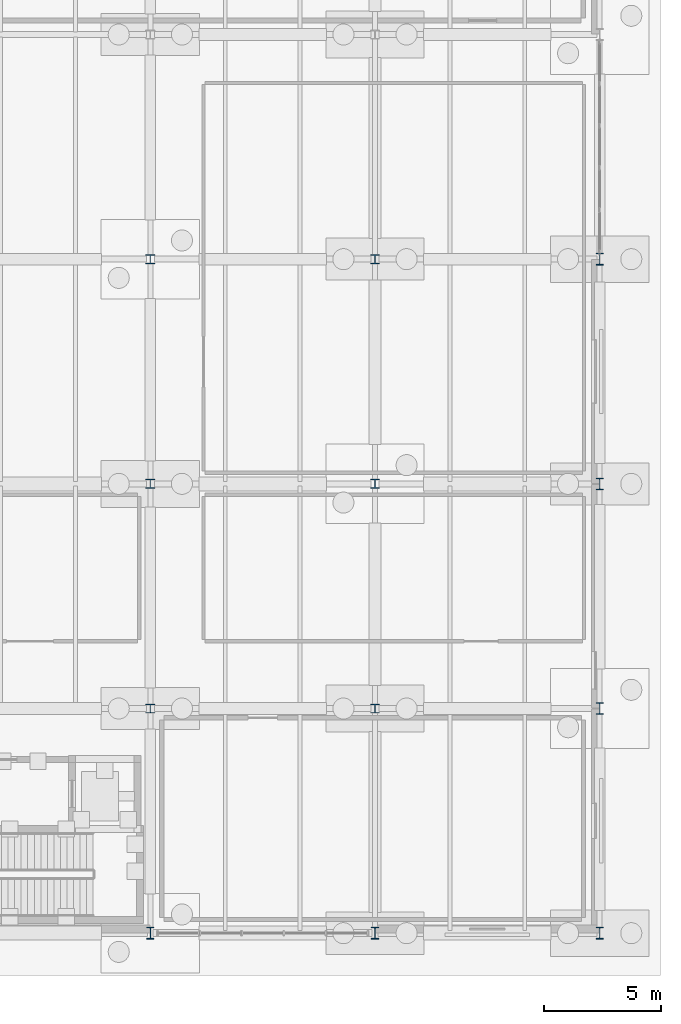
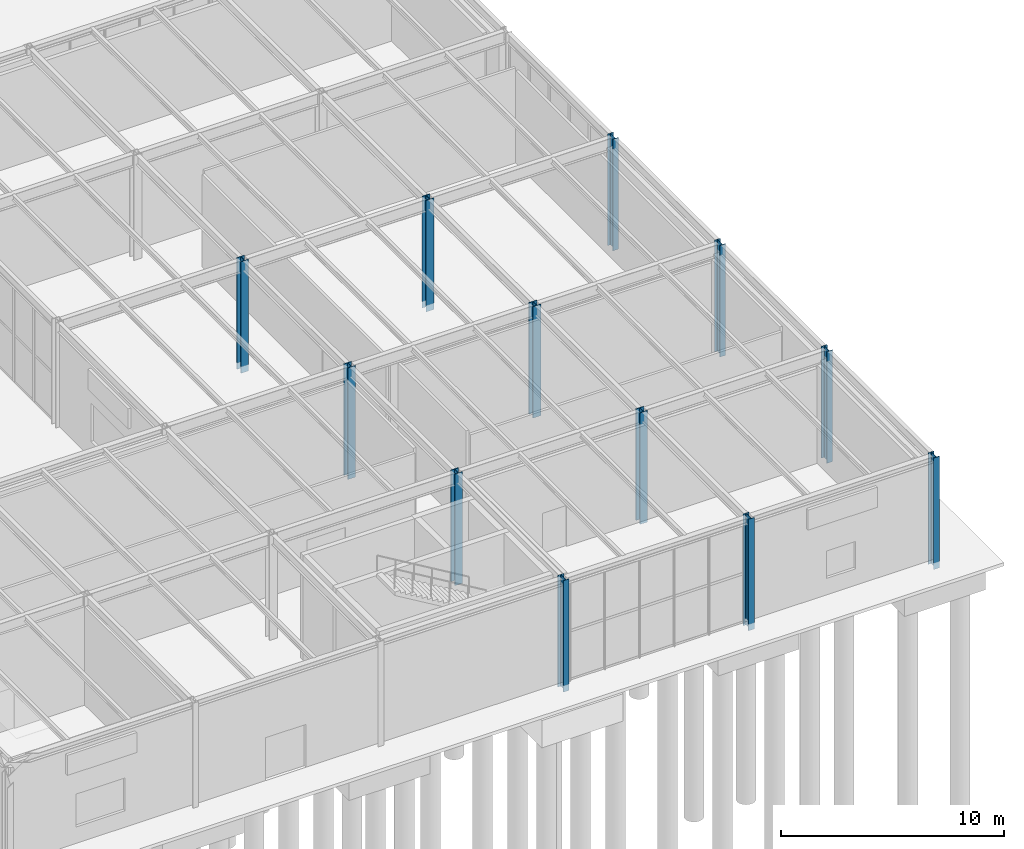
# One storey, part 23 of 142: 12 columns.
"""IFC4 building model written with IfcOpenShell, lengths in metres."""

from ifc_helpers import new_model, si_unit, direction, frame, origin, origin_2d, place, context, subcontext, project, spatial, i_section, extrude, material, material_profile, profile_set, type_object, element, save


model = new_model("IFC4")

# Units and contexts
model_context = context("Model", 3, precision=1e-05, world=origin(), true_north=direction((0.0, 1.0)))
body_context = subcontext(model_context, "Body", "Model", "MODEL_VIEW")
ifc_project = project(units=[si_unit("LENGTHUNIT", "METRE"), si_unit("AREAUNIT", "SQUARE_METRE"), si_unit("VOLUMEUNIT", "CUBIC_METRE"), si_unit("PLANEANGLEUNIT", "RADIAN"), si_unit("MASSUNIT", "GRAM", prefix="KILO")], contexts=[model_context])

# Site, building, storey
site_placement = place(None, origin())
site = spatial("IfcSite", under=ifc_project, at=site_placement, CompositionType="ELEMENT")
building_placement = place(site_placement, origin())
building = spatial("IfcBuilding", under=site, at=building_placement, Name="Coralgate Yard Interchange", CompositionType="ELEMENT")
storey_placement = place(building_placement, origin())
storey = spatial("IfcBuildingStorey", under=building, at=storey_placement, Name="L00", CompositionType="ELEMENT", Elevation=0.0)

# Columns
ifc_material = material(Name="Structural steel S355J2", Category="steel")
ifc_material_profile_1 = material_profile(ifc_material, i_section(OverallWidth=0.39892578125, OverallDepth=0.3935546875, WebThickness=0.022705078125, FlangeThickness=0.03662109375, FilletRadius=0.01513671875, at=origin_2d()), Name="UC 356x406x287")
ifc_profile_set_1 = profile_set([ifc_material_profile_1], Name="Structural steel S355J2")
column_type_1 = type_object("IfcColumnType", Name="COL-SC-1", PredefinedType="COLUMN", material=ifc_profile_set_1)
for number, where, z_axis, x_axis, name in (
    (1, (163.199951171875, 9.60009765625, -0.360107421875), (0.0, 0.0, 1.0), (1.0, 0.0, 0.0), "L00 structural column 17-1"),
    (2, (163.199951171875, 19.199951171875, -0.360107421875), (0.0, 0.0, 1.0), (1.0, 0.0, 0.0), "L00 structural column 17-2"),
    (3, (163.199951171875, 28.800048828125, -0.360107421875), (0.0, 0.0, 1.0), (1.0, 0.0, 0.0), "L00 structural column 17-3"),
    (4, (172.800048828125, 9.60009765625, -0.360107421875), (0.0, 0.0, 1.0), (1.0, 0.0, 0.0), "L00 structural column 18-1"),
    (5, (172.800048828125, 19.199951171875, -0.360107421875), (0.0, 0.0, 1.0), (1.0, 0.0, 0.0), "L00 structural column 18-2"),
    (6, (172.800048828125, 28.800048828125, -0.360107421875), (0.0, 0.0, 1.0), (1.0, 0.0, 0.0), "L00 structural column 18-3"),
):
    element("IfcColumn", number, at=place(storey_placement, frame(where, z_axis=z_axis, x_axis=x_axis)), inside=storey, type_object=column_type_1, Name=name, PredefinedType="COLUMN", context=body_context, shape_type="SweptSolid", body=[
        extrude(i_section(OverallWidth=0.39892578125, OverallDepth=0.3935546875, WebThickness=0.022705078125, FlangeThickness=0.03662109375, FilletRadius=0.01513671875, at=origin_2d()), origin(), (0.0, 0.0, 1.0), 6.110107421875),
    ])
ifc_material_profile_2 = material_profile(ifc_material, i_section(OverallWidth=0.300048828125, OverallDepth=0.5, WebThickness=0.014404296875, FlangeThickness=0.028076171875, FilletRadius=0.027099609375, at=origin_2d()), Name="HEB 500")
ifc_profile_set_2 = profile_set([ifc_material_profile_2], Name="Structural steel S355J2")
column_type_2 = type_object("IfcColumnType", Name="COL-SC-10", PredefinedType="COLUMN", material=ifc_profile_set_2)
for number, where, z_axis, x_axis, name in (
    (7, (163.199951171875, 0.0, -0.360107421875), (0.0, 0.0, 1.0), (1.0, 0.0, 0.0), "L00 structural column 17-0"),
    (8, (172.800048828125, 0.0, -0.360107421875), (0.0, 0.0, 1.0), (1.0, 0.0, 0.0), "L00 structural column 18-0"),
    (9, (182.39990234375, 0.0, -0.360107421875), (0.0, 0.0, 1.0), (1.0, 0.0, 0.0), "L00 structural column 19-0"),
    (10, (182.39990234375, 9.60009765625, -0.360107421875), (0.0, 0.0, 1.0), (1.0, 0.0, 0.0), "L00 structural column 19-1"),
    (11, (182.39990234375, 19.199951171875, -0.360107421875), (0.0, 0.0, 1.0), (1.0, 0.0, 0.0), "L00 structural column 19-2"),
    (12, (182.39990234375, 28.800048828125, -0.360107421875), (0.0, 0.0, 1.0), (1.0, 0.0, 0.0), "L00 structural column 19-3"),
):
    element("IfcColumn", number, at=place(storey_placement, frame(where, z_axis=z_axis, x_axis=x_axis)), inside=storey, type_object=column_type_2, Name=name, PredefinedType="COLUMN", context=body_context, shape_type="SweptSolid", body=[
        extrude(i_section(OverallWidth=0.300048828125, OverallDepth=0.5, WebThickness=0.014404296875, FlangeThickness=0.028076171875, FilletRadius=0.027099609375, at=origin_2d()), origin(), (0.0, 0.0, 1.0), 6.110107421875),
    ])

save(model, "model.ifc")
